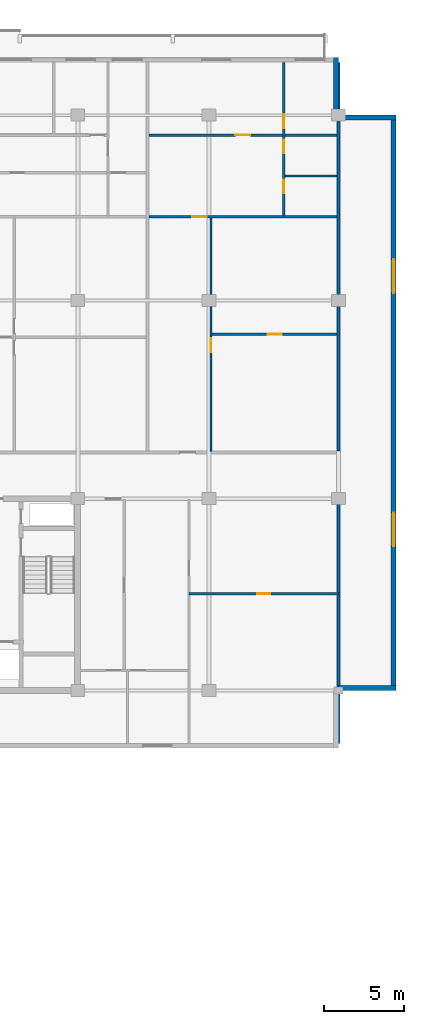
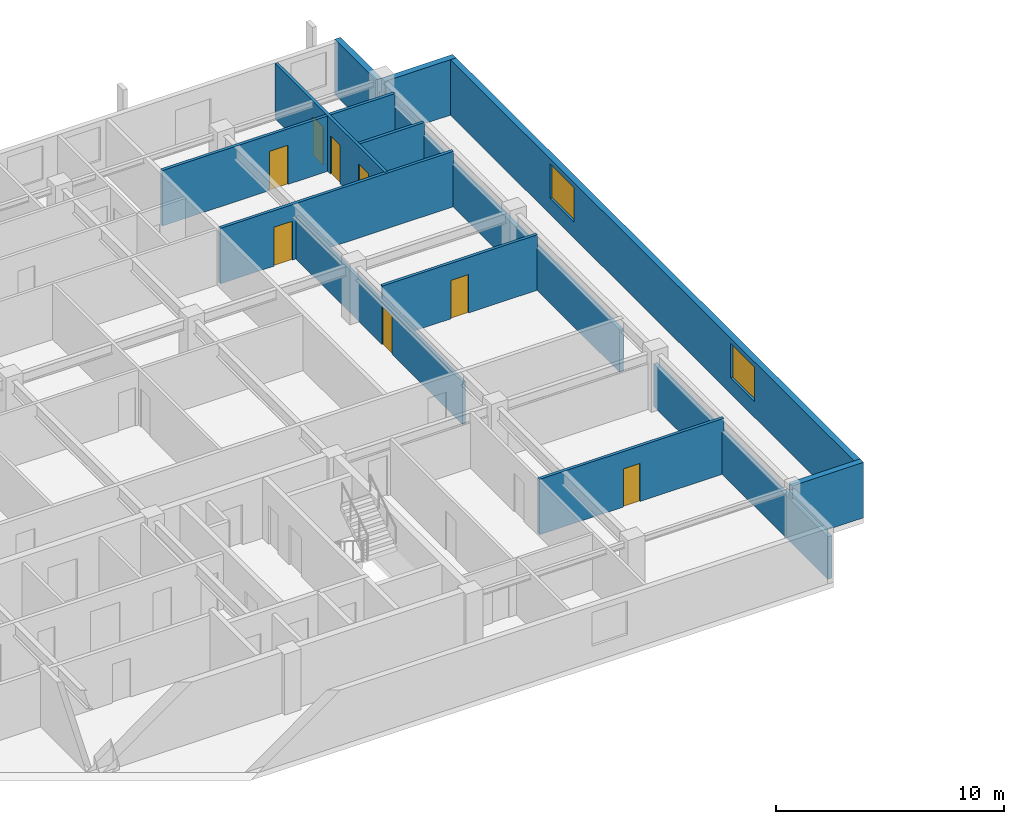
# One storey, part 16 of 22: 13 walls, 8 doors, 2 windows, 10 openings.
"""IFC4 building model written with IfcOpenShell, lengths in metres."""

from ifc_helpers import new_model, si_unit, direction, frame, frame_2d, origin, place, context, subcontext, project, spatial, rectangle, extrude, material, layer, layer_set, type_object, element, fill, save


model = new_model("IFC4")

# Units and contexts
model_context = context("Model", 3, precision=1e-05, world=origin(), true_north=direction((0.0, 1.0)))
body_context = subcontext(model_context, "Body", "Model", "MODEL_VIEW")
ifc_project = project(units=[si_unit("LENGTHUNIT", "METRE"), si_unit("AREAUNIT", "SQUARE_METRE"), si_unit("VOLUMEUNIT", "CUBIC_METRE"), si_unit("PLANEANGLEUNIT", "RADIAN"), si_unit("MASSUNIT", "GRAM", prefix="KILO")], contexts=[model_context])

# Site, building, storey
site_placement = place(None, origin())
site = spatial("IfcSite", under=ifc_project, at=site_placement, CompositionType="ELEMENT")
building_placement = place(site_placement, origin())
building = spatial("IfcBuilding", under=site, at=building_placement, Name="Korimba Cascade Residences", CompositionType="ELEMENT")
storey_placement = place(building_placement, frame((0.0, 0.0, 191.35009765625)))
storey = spatial("IfcBuildingStorey", under=building, at=storey_placement, Name="L55", CompositionType="ELEMENT", Elevation=191.35009765625)

# Wall
ifc_material_1 = material(Name="Precast concrete C40/50", Category="concrete")
ifc_layer_1 = layer(ifc_material_1, 0.300048828125)
ifc_layer_set_1 = layer_set([ifc_layer_1], Name="Precast concrete C40/50")
wall_type_1 = type_object("IfcWallType", Name="EW-STONE-300", PredefinedType="STANDARD", material=ifc_layer_set_1)
wall_1_placement = place(storey_placement, frame((128.39990234375, 55.35009765625, 0.0), z_axis=(0.0, 0.0, 1.0), x_axis=(1.0, 0.0, 0.0)))
element("IfcWall", 1, at=wall_1_placement, inside=storey, type_object=wall_type_1, Name="L55 T1 Perimeter Stone Wall E02", PredefinedType="STANDARD", context=body_context, shape_type="SweptSolid", body=[
    extrude(rectangle(XDim=3.60009765625, YDim=0.300048828125, at=frame_2d((1.800048828125, 0.0))), origin(), (0.0, 0.0, 1.0), 2.969970703125),
])

# Wall, openings, windows
wall_2_placement = place(storey_placement, frame((131.85009765625, 55.199951171875, 0.0), z_axis=(0.0, 0.0, 1.0), x_axis=(0.0, 1.0, 0.0)))
wall_2 = element("IfcWall", 2, at=wall_2_placement, inside=storey, type_object=wall_type_1, Name="L55 T1 Perimeter Stone Wall E03", PredefinedType="STANDARD", context=body_context, shape_type="SweptSolid", body=[
    extrude(rectangle(XDim=36.0, YDim=0.300048828125, at=frame_2d((18.0, 0.0))), origin(), (0.0, 0.0, 1.0), 2.969970703125),
])
opening_1_placement = place(wall_2_placement, frame((9.030029296875, 0.0, 0.85009765625)))
opening_1 = element("IfcOpeningElement", 3, at=opening_1_placement, cuts=wall_2, Name="Opening W-03", PredefinedType="OPENING", context=body_context, shape_type="SweptSolid", body=[
    extrude(rectangle(XDim=2.10009765625, YDim=1.85009765625, at=frame_2d((1.050048828125, 0.925048828125))), frame((0.0, 0.16015625, 0.0), z_axis=(0.0, -1.0, 0.0), x_axis=(1.0, 0.0, 0.0)), (0.0, 0.0, 1.0), 0.320068359375),
])
opening_2_placement = place(wall_2_placement, frame((24.8701171875, 0.0, 0.85009765625)))
opening_2 = element("IfcOpeningElement", 4, at=opening_2_placement, cuts=wall_2, Name="Opening W-03", PredefinedType="OPENING", context=body_context, shape_type="SweptSolid", body=[
    extrude(rectangle(XDim=2.10009765625, YDim=1.85009765625, at=frame_2d((1.050048828125, 0.925048828125))), frame((0.0, 0.16015625, 0.0), z_axis=(0.0, -1.0, 0.0), x_axis=(1.0, 0.0, 0.0)), (0.0, 0.0, 1.0), 0.320068359375),
])
ifc_material_2 = material(Name="Double-Glazed Aluminium Window", Category="aluminium")
window_type = type_object("IfcWindowType", Name="WIN-CRN-2100", PartitioningType="DOUBLE_PANEL_HORIZONTAL", PredefinedType="WINDOW", material=ifc_material_2)
window_1_placement = place(opening_1_placement, origin())
window_1 = element("IfcWindow", 5, at=window_1_placement, inside=storey, type_object=window_type, Name="L55 T1 End View Window 3.1", OverallHeight=1.85009765625, OverallWidth=2.10009765625, PartitioningType="DOUBLE_PANEL_HORIZONTAL", PredefinedType="WINDOW", context=body_context, shape_type="SweptSolid", body=[
    extrude(rectangle(XDim=2.10009765625, YDim=1.85009765625, at=frame_2d((1.050048828125, 0.925048828125))), frame((0.0, 0.030029296875, 0.0), z_axis=(0.0, -1.0, 0.0), x_axis=(1.0, 0.0, 0.0)), (0.0, 0.0, 1.0), 0.06005859375),
])
fill(opening_1, window_1)
window_2_placement = place(opening_2_placement, origin())
window_2 = element("IfcWindow", 6, at=window_2_placement, inside=storey, type_object=window_type, Name="L55 T1 End View Window 3.2", OverallHeight=1.85009765625, OverallWidth=2.10009765625, PartitioningType="DOUBLE_PANEL_HORIZONTAL", PredefinedType="WINDOW", context=body_context, shape_type="SweptSolid", body=[
    extrude(rectangle(XDim=2.10009765625, YDim=1.85009765625, at=frame_2d((1.050048828125, 0.925048828125))), frame((0.0, 0.030029296875, 0.0), z_axis=(0.0, -1.0, 0.0), x_axis=(1.0, 0.0, 0.0)), (0.0, 0.0, 1.0), 0.06005859375),
])
fill(opening_2, window_2)

# Walls
for number, where, z_axis, x_axis, name in (
    (7, (132.0, 91.050048828125, 0.0), (0.0, 0.0, 1.0), (-1.0, 0.0, 0.0), "L55 T1 Perimeter Stone Wall E04"),
    (8, (128.25, 91.199951171875, 0.0), (0.0, 0.0, 1.0), (0.0, 1.0, 0.0), "L55 T1 Perimeter Stone Wall E05"),
):
    element("IfcWall", number, at=place(storey_placement, frame(where, z_axis=z_axis, x_axis=x_axis)), inside=storey, type_object=wall_type_1, Name=name, PredefinedType="STANDARD", context=body_context, shape_type="SweptSolid", body=[
        extrude(rectangle(XDim=3.60009765625, YDim=0.300048828125, at=frame_2d((1.800048828125, 0.0))), origin(), (0.0, 0.0, 1.0), 2.969970703125),
    ])
ifc_layer_2 = layer(ifc_material_1, 0.199951171875)
ifc_layer_set_2 = layer_set([ifc_layer_2], Name="Precast concrete C40/50")
wall_type_2 = type_object("IfcWallType", Name="WAL-IT-200", PredefinedType="PARTITIONING", material=ifc_layer_set_2)
wall_3_placement = place(storey_placement, frame((128.39990234375, 51.89990234375, 0.0), z_axis=(0.0, 0.0, 1.0), x_axis=(0.0, 1.0, 0.0)))
element("IfcWall", 9, at=wall_3_placement, inside=storey, type_object=wall_type_2, Name="L55 Partition Wall WAL-L55-T1-FE-WR", PredefinedType="PARTITIONING", context=body_context, shape_type="SweptSolid", body=[
    extrude(rectangle(XDim=15.300048828125, YDim=0.199951171875, at=frame_2d((7.64990234375, 0.0))), origin(), (0.0, 0.0, 1.0), 2.277099609375),
])
wall_4_placement = place(storey_placement, frame((128.39990234375, 70.179931640625, 0.0), z_axis=(0.0, 0.0, 1.0), x_axis=(0.0, 1.0, 0.0)))
element("IfcWall", 10, at=wall_4_placement, inside=storey, type_object=wall_type_2, Name="L55 Partition Wall WAL-L55-T1-BNDWR", PredefinedType="PARTITIONING", context=body_context, shape_type="SweptSolid", body=[
    extrude(rectangle(XDim=24.320068359375, YDim=0.199951171875, at=frame_2d((12.16015625, 0.0))), origin(), (0.0, 0.0, 1.0), 2.277099609375),
])

# Wall, opening, door
ifc_material_3 = material(Name="Insulated Acoustic Stud Partition", Category="gypsum")
ifc_layer_3 = layer(ifc_material_3, 0.14990234375)
ifc_layer_set_3 = layer_set([ifc_layer_3], Name="Insulated Acoustic Stud Partition")
wall_type_3 = type_object("IfcWallType", Name="WAL-PART-150", PredefinedType="PARTITIONING", material=ifc_layer_set_3)
wall_5_placement = place(storey_placement, frame((119.050048828125, 61.25, 0.0), z_axis=(0.0, 0.0, 1.0), x_axis=(1.0, 0.0, 0.0)))
wall_5 = element("IfcWall", 11, at=wall_5_placement, inside=storey, type_object=wall_type_3, Name="L55 Partition Wall WAL-L55-T1-FE-STH", PredefinedType="PARTITIONING", context=body_context, shape_type="SweptSolid", body=[
    extrude(rectangle(XDim=9.349853515625, YDim=0.14990234375, at=frame_2d((4.6748046875, 0.0))), origin(), (0.0, 0.0, 1.0), 2.969970703125),
])
opening_3_placement = place(wall_5_placement, frame((4.2548828125, 0.0, 0.0)))
opening_3 = element("IfcOpeningElement", 12, at=opening_3_placement, cuts=wall_5, Name="Opening D-BT1", PredefinedType="OPENING", context=body_context, shape_type="SweptSolid", body=[
    extrude(rectangle(XDim=0.840087890625, YDim=2.0400390625, at=frame_2d((0.419921875, 1.02001953125))), frame((0.0, 0.0849609375, 0.0), z_axis=(0.0, -1.0, 0.0), x_axis=(1.0, 0.0, 0.0)), (0.0, 0.0, 1.0), 0.169921875),
])
ifc_material_4 = material(Name="Moisture-Resistant Bathroom Timber Door", Category="wood")
door_type_1 = type_object("IfcDoorType", Name="DR-INT-850", OperationType="NOTDEFINED", PredefinedType="DOOR", material=ifc_material_4)
door_1_placement = place(opening_3_placement, origin())
door_1 = element("IfcDoor", 13, at=door_1_placement, inside=storey, type_object=door_type_1, Name="L55-T1-FE Dressing Store Door", OperationType="SINGLE_SWING_LEFT", OverallHeight=2.0400390625, OverallWidth=0.840087890625, PredefinedType="DOOR", context=body_context, shape_type="SweptSolid", body=[
    extrude(rectangle(XDim=0.840087890625, YDim=2.0400390625, at=frame_2d((0.419921875, 1.02001953125))), frame((0.0, 0.02490234375, 0.0), z_axis=(0.0, -1.0, 0.0), x_axis=(1.0, 0.0, 0.0)), (0.0, 0.0, 1.0), 0.050048828125),
])
fill(opening_3, door_1)

wall_6_placement = place(storey_placement, frame((120.482421875, 77.485107421875, 0.0), z_axis=(0.0, 0.0, 1.0), x_axis=(1.0, 0.0, 0.0)))
wall_6 = element("IfcWall", 14, at=wall_6_placement, inside=storey, type_object=wall_type_3, Name="L55 Partition Wall WAL-L55-T1-U04-FMH", PredefinedType="PARTITIONING", context=body_context, shape_type="SweptSolid", body=[
    extrude(rectangle(XDim=7.837646484375, YDim=0.14990234375, at=frame_2d((3.9189453125, 0.0))), origin(), (0.0, 0.0, 1.0), 2.969970703125),
])
opening_4_placement = place(wall_6_placement, frame((3.478759765625, 0.0, 0.0)))
opening_4 = element("IfcOpeningElement", 15, at=opening_4_placement, cuts=wall_6, Name="Opening D-IN2", PredefinedType="OPENING", context=body_context, shape_type="SweptSolid", body=[
    extrude(rectangle(XDim=0.8798828125, YDim=2.06005859375, at=frame_2d((0.43994140625, 1.030029296875))), frame((0.0, 0.0849609375, 0.0), z_axis=(0.0, -1.0, 0.0), x_axis=(1.0, 0.0, 0.0)), (0.0, 0.0, 1.0), 0.169921875),
])
ifc_material_5 = material(Name="Acoustic Timber Bedroom Door", Category="wood")
door_type_2 = type_object("IfcDoorType", Name="DR-INT-880", OperationType="NOTDEFINED", PredefinedType="DOOR", material=ifc_material_5)
door_2_placement = place(opening_4_placement, origin())
door_2 = element("IfcDoor", 16, at=door_2_placement, inside=storey, type_object=door_type_2, Name="L55-T1-U04 Library Salon Door", OperationType="SINGLE_SWING_LEFT", OverallHeight=2.06005859375, OverallWidth=0.8798828125, PredefinedType="DOOR", context=body_context, shape_type="SweptSolid", body=[
    extrude(rectangle(XDim=0.8798828125, YDim=2.06005859375, at=frame_2d((0.43994140625, 1.030029296875))), frame((0.0, 0.02490234375, 0.0), z_axis=(0.0, -1.0, 0.0), x_axis=(1.0, 0.0, 0.0)), (0.0, 0.0, 1.0), 0.050048828125),
])
fill(opening_4, door_2)

wall_7_placement = place(storey_placement, frame((120.42236328125, 70.159912109375, 0.0), z_axis=(0.0, 0.0, 1.0), x_axis=(0.0, 1.0, 0.0)))
wall_7 = element("IfcWall", 17, at=wall_7_placement, inside=storey, type_object=wall_type_3, Name="L55 Partition Wall WAL-L55-T1-U04-FV", PredefinedType="PARTITIONING", context=body_context, shape_type="SweptSolid", body=[
    extrude(rectangle(XDim=14.650146484375, YDim=0.14990234375, at=frame_2d((7.3251953125, 0.0))), origin(), (0.0, 0.0, 1.0), 2.277099609375),
])
opening_5_placement = place(wall_7_placement, frame((6.195068359375, 0.0, 0.0)))
opening_5 = element("IfcOpeningElement", 18, at=opening_5_placement, cuts=wall_7, Name="Opening D-IN2", PredefinedType="OPENING", context=body_context, shape_type="SweptSolid", body=[
    extrude(rectangle(XDim=0.8798828125, YDim=2.06005859375, at=frame_2d((0.43994140625, 1.030029296875))), frame((0.0, 0.0849609375, 0.0), z_axis=(0.0, -1.0, 0.0), x_axis=(1.0, 0.0, 0.0)), (0.0, 0.0, 1.0), 0.169921875),
])
door_3_placement = place(opening_5_placement, origin())
door_3 = element("IfcDoor", 19, at=door_3_placement, inside=storey, type_object=door_type_2, Name="L55-T1-U04 Media Lounge Door", OperationType="SINGLE_SWING_RIGHT", OverallHeight=2.06005859375, OverallWidth=0.8798828125, PredefinedType="DOOR", context=body_context, shape_type="SweptSolid", body=[
    extrude(rectangle(XDim=0.8798828125, YDim=2.06005859375, at=frame_2d((0.43994140625, 1.030029296875))), frame((0.0, 0.02490234375, 0.0), z_axis=(0.0, -1.0, 0.0), x_axis=(1.0, 0.0, 0.0)), (0.0, 0.0, 1.0), 0.050048828125),
])
fill(opening_5, door_3)

# Wall
wall_8_placement = place(storey_placement, frame((125.0400390625, 87.389892578125, 0.0), z_axis=(0.0, 0.0, 1.0), x_axis=(1.0, 0.0, 0.0)))
element("IfcWall", 20, at=wall_8_placement, inside=storey, type_object=wall_type_3, Name="L55 Partition Wall WAL-L55-T1-U04-BLDIV", PredefinedType="PARTITIONING", context=body_context, shape_type="SweptSolid", body=[
    extrude(rectangle(XDim=3.280029296875, YDim=0.14990234375, at=frame_2d((1.64013671875, 0.0))), origin(), (0.0, 0.0, 1.0), 2.969970703125),
])

# Wall, openings, doors
wall_9_placement = place(storey_placement, frame((124.97998046875, 84.889892578125, 0.0), z_axis=(0.0, 0.0, 1.0), x_axis=(0.0, 1.0, 0.0)))
wall_9 = element("IfcWall", 21, at=wall_9_placement, inside=storey, type_object=wall_type_3, Name="L55 Partition Wall WAL-L55-T1-U04-V1", PredefinedType="PARTITIONING", context=body_context, shape_type="SweptSolid", body=[
    extrude(rectangle(XDim=9.610107421875, YDim=0.14990234375, at=frame_2d((4.80517578125, 0.0))), origin(), (0.0, 0.0, 1.0), 2.969970703125),
])
opening_6_placement = place(wall_9_placement, frame((1.430419921875, 0.0, 0.0)))
opening_6 = element("IfcOpeningElement", 22, at=opening_6_placement, cuts=wall_9, Name="Opening D-BT1", PredefinedType="OPENING", context=body_context, shape_type="SweptSolid", body=[
    extrude(rectangle(XDim=0.840087890625, YDim=2.0400390625, at=frame_2d((0.419921875, 1.02001953125))), frame((0.0, 0.0849609375, 0.0), z_axis=(0.0, -1.0, 0.0), x_axis=(1.0, 0.0, 0.0)), (0.0, 0.0, 1.0), 0.169921875),
])
opening_7_placement = place(wall_9_placement, frame((3.919921875, 0.0, 0.0)))
opening_7 = element("IfcOpeningElement", 23, at=opening_7_placement, cuts=wall_9, Name="Opening D-BT1", PredefinedType="OPENING", context=body_context, shape_type="SweptSolid", body=[
    extrude(rectangle(XDim=0.840087890625, YDim=2.0400390625, at=frame_2d((0.419921875, 1.02001953125))), frame((0.0, 0.0849609375, 0.0), z_axis=(0.0, -1.0, 0.0), x_axis=(1.0, 0.0, 0.0)), (0.0, 0.0, 1.0), 0.169921875),
])
opening_8_placement = place(wall_9_placement, frame((5.47998046875, 0.0, 0.0)))
opening_8 = element("IfcOpeningElement", 24, at=opening_8_placement, cuts=wall_9, Name="Opening D-IN2", PredefinedType="OPENING", context=body_context, shape_type="SweptSolid", body=[
    extrude(rectangle(XDim=0.8798828125, YDim=2.06005859375, at=frame_2d((0.43994140625, 1.030029296875))), frame((0.0, 0.0849609375, 0.0), z_axis=(0.0, -1.0, 0.0), x_axis=(1.0, 0.0, 0.0)), (0.0, 0.0, 1.0), 0.169921875),
])
door_4_placement = place(opening_6_placement, origin())
door_4 = element("IfcDoor", 25, at=door_4_placement, inside=storey, type_object=door_type_1, Name="L55-T1-U04 Bathroom Door", OperationType="SINGLE_SWING_LEFT", OverallHeight=2.0400390625, OverallWidth=0.840087890625, PredefinedType="DOOR", context=body_context, shape_type="SweptSolid", body=[
    extrude(rectangle(XDim=0.840087890625, YDim=2.0400390625, at=frame_2d((0.419921875, 1.02001953125))), frame((0.0, 0.02490234375, 0.0), z_axis=(0.0, -1.0, 0.0), x_axis=(1.0, 0.0, 0.0)), (0.0, 0.0, 1.0), 0.050048828125),
])
fill(opening_6, door_4)
door_5_placement = place(opening_7_placement, origin())
door_5 = element("IfcDoor", 26, at=door_5_placement, inside=storey, type_object=door_type_1, Name="L55-T1-U04 Laundry Door", OperationType="SINGLE_SWING_RIGHT", OverallHeight=2.0400390625, OverallWidth=0.840087890625, PredefinedType="DOOR", context=body_context, shape_type="SweptSolid", body=[
    extrude(rectangle(XDim=0.840087890625, YDim=2.0400390625, at=frame_2d((0.419921875, 1.02001953125))), frame((0.0, 0.02490234375, 0.0), z_axis=(0.0, -1.0, 0.0), x_axis=(1.0, 0.0, 0.0)), (0.0, 0.0, 1.0), 0.050048828125),
])
fill(opening_7, door_5)
door_6_placement = place(opening_8_placement, origin())
door_6 = element("IfcDoor", 27, at=door_6_placement, inside=storey, type_object=door_type_2, Name="L55-T1-U04 Bedroom 1 Door", OperationType="SINGLE_SWING_LEFT", OverallHeight=2.06005859375, OverallWidth=0.8798828125, PredefinedType="DOOR", context=body_context, shape_type="SweptSolid", body=[
    extrude(rectangle(XDim=0.8798828125, YDim=2.06005859375, at=frame_2d((0.43994140625, 1.030029296875))), frame((0.0, 0.02490234375, 0.0), z_axis=(0.0, -1.0, 0.0), x_axis=(1.0, 0.0, 0.0)), (0.0, 0.0, 1.0), 0.050048828125),
])
fill(opening_8, door_6)

# Wall, opening, door
wall_10_placement = place(storey_placement, frame((116.5322265625, 84.85009765625, 0.0), z_axis=(0.0, 0.0, 1.0), x_axis=(1.0, 0.0, 0.0)))
wall_10 = element("IfcWall", 28, at=wall_10_placement, inside=storey, type_object=wall_type_3, Name="L55 Partition Wall WAL-L55-T1-U04-MW", PredefinedType="PARTITIONING", context=body_context, shape_type="SweptSolid", body=[
    extrude(rectangle(XDim=11.787841796875, YDim=0.14990234375, at=frame_2d((5.89404296875, 0.0))), origin(), (0.0, 0.0, 1.0), 2.969970703125),
])
opening_9_placement = place(wall_10_placement, frame((2.719970703125, 0.0, 0.0)))
opening_9 = element("IfcOpeningElement", 29, at=opening_9_placement, cuts=wall_10, Name="Opening D-IN1", PredefinedType="OPENING", context=body_context, shape_type="SweptSolid", body=[
    extrude(rectangle(XDim=0.919921875, YDim=2.080078125, at=frame_2d((0.4599609375, 1.0400390625))), frame((0.0, 0.0849609375, 0.0), z_axis=(0.0, -1.0, 0.0), x_axis=(1.0, 0.0, 0.0)), (0.0, 0.0, 1.0), 0.169921875),
])
ifc_material_6 = material(Name="Acoustic Timber Living Door", Category="wood")
door_type_3 = type_object("IfcDoorType", Name="DR-INT-920", OperationType="NOTDEFINED", PredefinedType="DOOR", material=ifc_material_6)
door_7_placement = place(opening_9_placement, origin())
door_7 = element("IfcDoor", 30, at=door_7_placement, inside=storey, type_object=door_type_3, Name="L55-T1-U04 Kitchen Archway Door", OperationType="SINGLE_SWING_RIGHT", OverallHeight=2.080078125, OverallWidth=0.919921875, PredefinedType="DOOR", context=body_context, shape_type="SweptSolid", body=[
    extrude(rectangle(XDim=0.919921875, YDim=2.080078125, at=frame_2d((0.4599609375, 1.0400390625))), frame((0.0, 0.02490234375, 0.0), z_axis=(0.0, -1.0, 0.0), x_axis=(1.0, 0.0, 0.0)), (0.0, 0.0, 1.0), 0.050048828125),
])
fill(opening_9, door_7)

wall_11_placement = place(storey_placement, frame((116.5322265625, 89.949951171875, 0.0), z_axis=(0.0, 0.0, 1.0), x_axis=(1.0, 0.0, 0.0)))
wall_11 = element("IfcWall", 31, at=wall_11_placement, inside=storey, type_object=wall_type_3, Name="L55 Partition Wall WAL-L55-T1-U04-HZ", PredefinedType="PARTITIONING", context=body_context, shape_type="SweptSolid", body=[
    extrude(rectangle(XDim=11.787841796875, YDim=0.14990234375, at=frame_2d((5.89404296875, 0.0))), origin(), (0.0, 0.0, 1.0), 2.969970703125),
])
opening_10_placement = place(wall_11_placement, frame((5.423828125, 0.0, 0.0)))
opening_10 = element("IfcOpeningElement", 32, at=opening_10_placement, cuts=wall_11, Name="Opening D-IN0", PredefinedType="OPENING", context=body_context, shape_type="SweptSolid", body=[
    extrude(rectangle(XDim=0.93994140625, YDim=2.10009765625, at=frame_2d((0.469970703125, 1.050048828125))), frame((0.0, 0.0849609375, 0.0), z_axis=(0.0, -1.0, 0.0), x_axis=(1.0, 0.0, 0.0)), (0.0, 0.0, 1.0), 0.169921875),
])
ifc_material_7 = material(Name="Acoustic Timber Living Archway Door", Category="wood")
door_type_4 = type_object("IfcDoorType", Name="DR-INT-950", OperationType="NOTDEFINED", PredefinedType="DOOR", material=ifc_material_7)
door_8_placement = place(opening_10_placement, origin())
door_8 = element("IfcDoor", 33, at=door_8_placement, inside=storey, type_object=door_type_4, Name="L55-T1-U04 Living Archway Door", OperationType="SINGLE_SWING_LEFT", OverallHeight=2.10009765625, OverallWidth=0.93994140625, PredefinedType="DOOR", context=body_context, shape_type="SweptSolid", body=[
    extrude(rectangle(XDim=0.93994140625, YDim=2.10009765625, at=frame_2d((0.469970703125, 1.050048828125))), frame((0.0, 0.02490234375, 0.0), z_axis=(0.0, -1.0, 0.0), x_axis=(1.0, 0.0, 0.0)), (0.0, 0.0, 1.0), 0.050048828125),
])
fill(opening_10, door_8)

save(model, "model.ifc")
